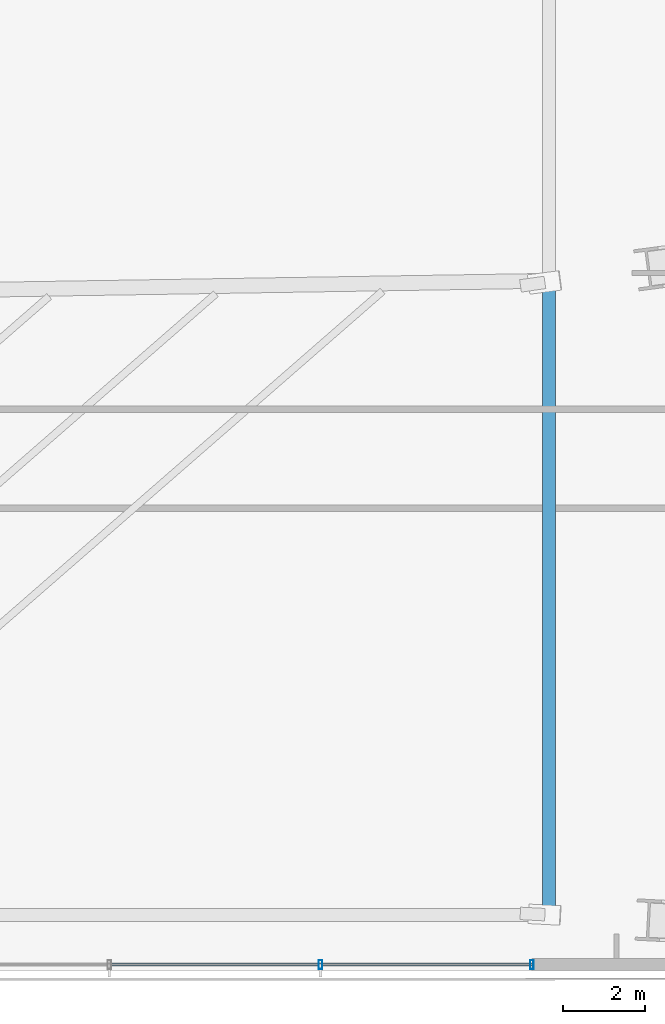
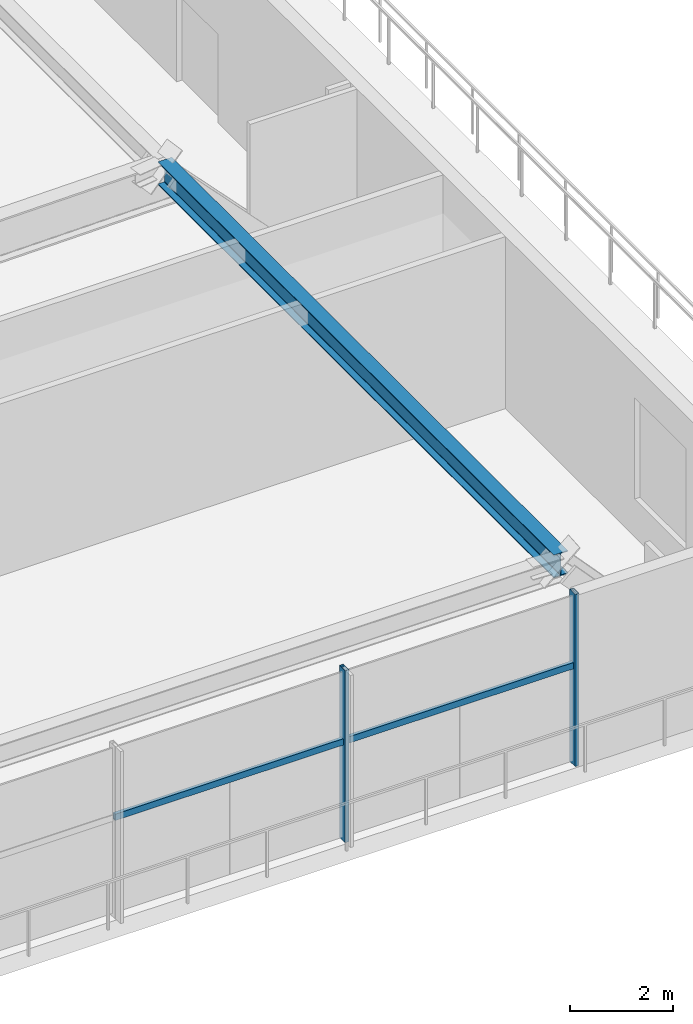
# One storey, part 21 of 36: 4 members, 1 beam, 1 element without a shape of its own.
"""IFC4 building model written with IfcOpenShell, lengths in metres."""

from ifc_helpers import new_model, si_unit, direction, frame, origin, origin_2d, place, context, subcontext, project, spatial, hollow_rectangle, i_section, extrude, source, transform, mapped, material, material_profile, profile_set, type_object, type_shapes, element, aggregate, save


model = new_model("IFC4")

# Units and contexts
model_context = context("Model", 3, precision=1e-05, world=origin(), true_north=direction((0.0, 1.0)))
body_context = subcontext(model_context, "Body", "Model", "MODEL_VIEW")
ifc_project = project(units=[si_unit("LENGTHUNIT", "METRE"), si_unit("AREAUNIT", "SQUARE_METRE"), si_unit("VOLUMEUNIT", "CUBIC_METRE"), si_unit("PLANEANGLEUNIT", "RADIAN"), si_unit("MASSUNIT", "GRAM", prefix="KILO")], contexts=[model_context])

# Site, building, storey
site_placement = place(None, origin())
site = spatial("IfcSite", under=ifc_project, at=site_placement, CompositionType="ELEMENT")
building_placement = place(site_placement, origin())
building = spatial("IfcBuilding", under=site, at=building_placement, Name="Astriad Promenade Condominiums", CompositionType="ELEMENT")
storey_placement = place(building_placement, frame((0.0, 0.0, 5.0)))
storey = spatial("IfcBuildingStorey", under=building, at=storey_placement, Name="L01", CompositionType="ELEMENT", Elevation=5.0)

# Beam
ifc_material_1 = material(Name="Steel ASTM A992 Grade 50", Category="steel")
ifc_material_profile_1 = material_profile(ifc_material_1, i_section(OverallWidth=0.3134765625, OverallDepth=0.54638671875, WebThickness=0.013916015625, FlangeThickness=0.022216796875, FilletRadius=0.0166015625, at=origin_2d()), Name="W21X111")
ifc_profile_set_1 = profile_set([ifc_material_profile_1], Name="Steel ASTM A992 Grade 50")
beam_type = type_object("IfcBeamType", Name="STEEL SPANDREL BEAM W21X111", PredefinedType="SPANDREL", material=ifc_profile_set_1)
shared_shape_1 = source(origin(), body_context, "Body", "SweptSolid", [
    extrude(i_section(OverallWidth=0.3134765625, OverallDepth=0.54638671875, WebThickness=0.013916015625, FlangeThickness=0.022216796875, FilletRadius=0.0166015625, at=origin_2d()), origin(), (0.0, 0.0, 1.0), 15.386962890625),
])
type_shapes(beam_type, [shared_shape_1])
beam_placement = place(storey_placement, frame((74.474365234375, 2.406494140625, 3.806884765625), z_axis=(0.0, 1.0, 0.0), x_axis=(-1.0, 0.0, 0.0)))
element("IfcBeam", 1, at=beam_placement, inside=storey, type_object=beam_type, Name="Perimeter Spandrel Beam SP-E1-L01", PredefinedType="SPANDREL", context=body_context, shape_type="MappedRepresentation", body=[
    mapped(shared_shape_1, transform((0.0, 0.0, 0.0), scale=1.0)),
])

# Curtain wall, members
ifc_material_2 = material(Name="Anodised aluminium Black Dark Glass Unitised", Category="aluminium")
curtain_wall_type = type_object("IfcCurtainWallType", Name="CW-POD-DARK", PredefinedType="USERDEFINED", material=ifc_material_2)
curtain_wall_placement = place(storey_placement, origin())
curtain_wall = element("IfcCurtainWall", 2, at=curtain_wall_placement, inside=storey, type_object=curtain_wall_type, Name="CW-L01-S", ObjectType="UNITISED_CURTAIN_WALL", PredefinedType="USERDEFINED")
ifc_material_3 = material(Name="Anodised aluminium 6063-T6 Black", Category="aluminium")
ifc_material_profile_2 = material_profile(ifc_material_3, hollow_rectangle(XDim=0.0849609375, YDim=0.219970703125, WallThickness=0.0048828125, at=origin_2d()), Name="ALU-MUL-85X220")
ifc_profile_set_2 = profile_set([ifc_material_profile_2], Name="Anodised aluminium 6063-T6 Black")
member_type_1 = type_object("IfcMemberType", Name="MUL-ALU-MUL-85X220", PredefinedType="MULLION", material=ifc_profile_set_2)
shared_shape_2 = source(origin(), body_context, "Body", "SweptSolid", [
    extrude(hollow_rectangle(XDim=0.0849609375, YDim=0.219970703125, WallThickness=0.0048828125, at=origin_2d()), origin(), (0.0, 0.0, 1.0), 4.080078125),
])
type_shapes(member_type_1, [shared_shape_2])
member_1_placement = place(storey_placement, frame((74.050048828125, 1.14990234375, 0.0), z_axis=(0.0, 0.0, 1.0), x_axis=(1.0, 0.0, 0.0)))
member_1 = element("IfcMember", 3, at=member_1_placement, type_object=member_type_1, Name="CW-L01-S-MUL-00", PredefinedType="MULLION", context=body_context, shape_type="MappedRepresentation", body=[
    mapped(shared_shape_2, transform((0.0, 0.0, 0.0), scale=1.0)),
])
member_2_placement = place(storey_placement, frame((68.888427734375, 1.14990234375, 0.0), z_axis=(0.0, 0.0, 1.0), x_axis=(1.0, 0.0, 0.0)))
member_2 = element("IfcMember", 4, at=member_2_placement, type_object=member_type_1, Name="CW-L01-S-MUL-01", PredefinedType="MULLION", context=body_context, shape_type="MappedRepresentation", body=[
    mapped(shared_shape_2, transform((0.0, 0.0, 0.0), scale=1.0)),
])
ifc_material_profile_3 = material_profile(ifc_material_3, hollow_rectangle(XDim=0.074951171875, YDim=0.14990234375, WallThickness=0.004150390625, at=origin_2d()), Name="ALU-TRN-75X150")
ifc_profile_set_3 = profile_set([ifc_material_profile_3], Name="Anodised aluminium 6063-T6 Black")
member_type_2 = type_object("IfcMemberType", Name="TRN-ALU-TRN-75X150", PredefinedType="USERDEFINED", material=ifc_profile_set_3)
shared_shape_3 = source(origin(), body_context, "Body", "SweptSolid", [
    extrude(hollow_rectangle(XDim=0.074951171875, YDim=0.14990234375, WallThickness=0.004150390625, at=origin_2d()), origin(), (0.0, 0.0, 1.0), 5.16162109375),
])
type_shapes(member_type_2, [shared_shape_3])
member_3_placement = place(storey_placement, frame((74.050048828125, 1.14990234375, 2.35009765625), z_axis=(-1.0, 0.0, 0.0), x_axis=(0.0, -1.0, 0.0)))
member_3 = element("IfcMember", 5, at=member_3_placement, type_object=member_type_2, Name="CW-L01-S-TRN-00-0", ObjectType="TRANSOM", PredefinedType="USERDEFINED", context=body_context, shape_type="MappedRepresentation", body=[
    mapped(shared_shape_3, transform((0.0, 0.0, 0.0), scale=1.0)),
])
member_4_placement = place(storey_placement, frame((68.888427734375, 1.14990234375, 2.35009765625), z_axis=(-1.0, 0.0, 0.0), x_axis=(0.0, -1.0, 0.0)))
member_4 = element("IfcMember", 6, at=member_4_placement, type_object=member_type_2, Name="CW-L01-S-TRN-01-0", ObjectType="TRANSOM", PredefinedType="USERDEFINED", context=body_context, shape_type="MappedRepresentation", body=[
    mapped(shared_shape_3, transform((0.0, 0.0, 0.0), scale=1.0)),
])
aggregate(curtain_wall, [member_1, member_2, member_3, member_4])

save(model, "model.ifc")
